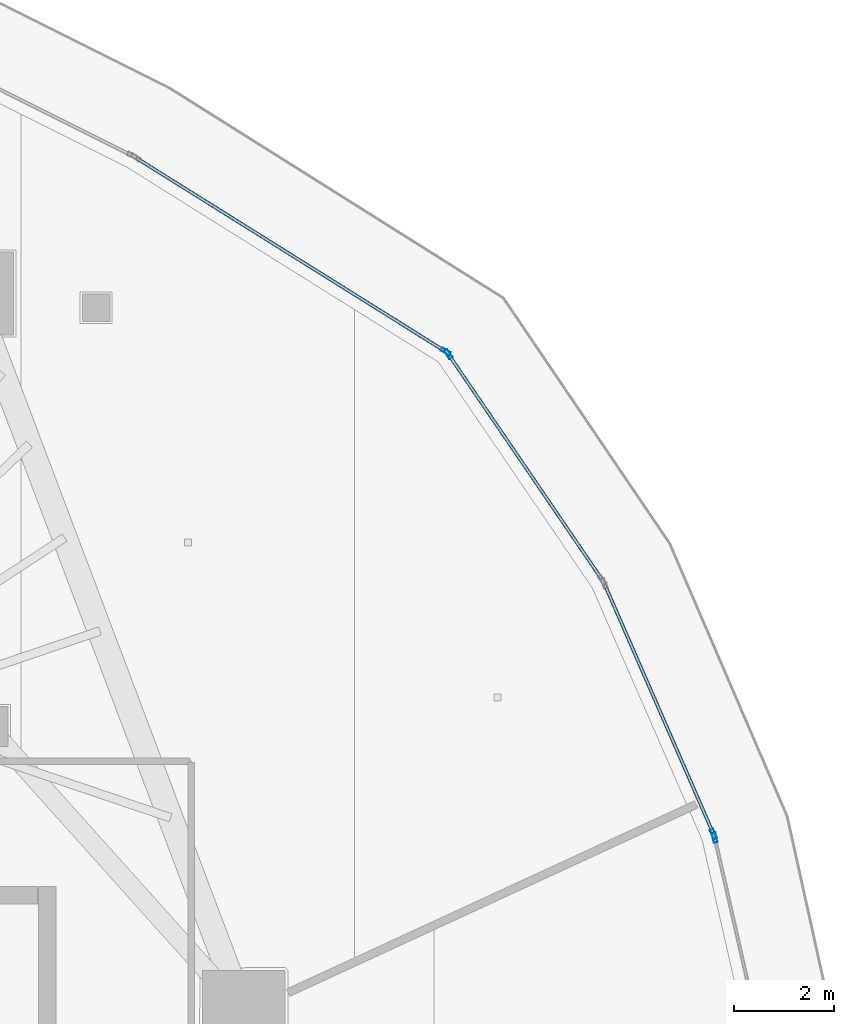
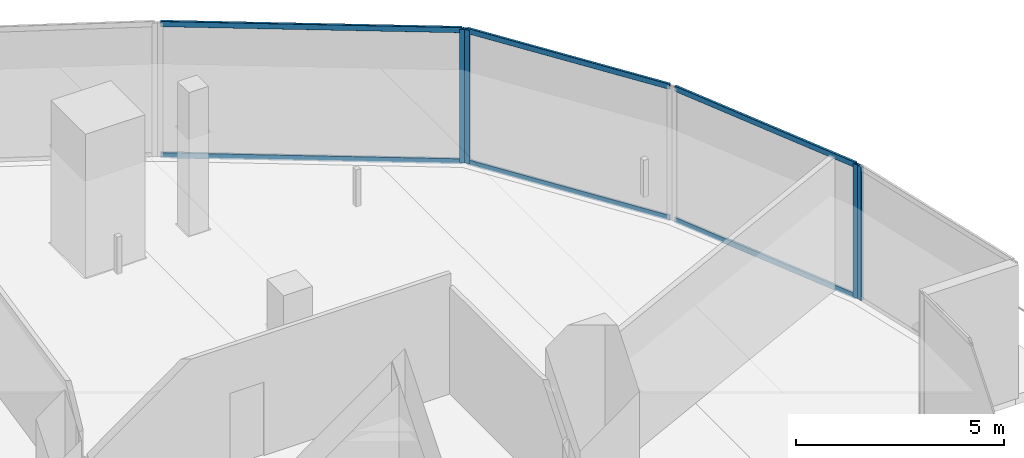
# One storey, part 18 of 31: 10 members, 4 elements without a shape of their own.
"""IFC4 building model written with IfcOpenShell, lengths in metres."""

from ifc_helpers import new_model, si_unit, direction, frame, origin, origin_2d, place, context, subcontext, project, spatial, hollow_rectangle, extrude, material, layer, layer_set, material_profile, profile_set, type_object, element, aggregate, save


model = new_model("IFC4")

# Units and contexts
model_context = context("Model", 3, precision=1e-05, world=origin(), true_north=direction((0.0, 1.0)))
body_context = subcontext(model_context, "Body", "Model", "MODEL_VIEW")
ifc_project = project(units=[si_unit("LENGTHUNIT", "METRE"), si_unit("AREAUNIT", "SQUARE_METRE"), si_unit("VOLUMEUNIT", "CUBIC_METRE"), si_unit("PLANEANGLEUNIT", "RADIAN"), si_unit("MASSUNIT", "GRAM", prefix="KILO")], contexts=[model_context])

# Site, building, storey
site_placement = place(None, origin())
site = spatial("IfcSite", under=ifc_project, at=site_placement, CompositionType="ELEMENT")
building_placement = place(site_placement, origin())
building = spatial("IfcBuilding", under=site, at=building_placement, Name="Qorvath Tower", CompositionType="ELEMENT")
storey_placement = place(building_placement, frame((0.0, 0.0, 259.800048828125)))
storey = spatial("IfcBuildingStorey", under=building, at=storey_placement, Name="L60", CompositionType="ELEMENT", Elevation=259.800048828125)

# Curtain wall, member
ifc_material_1 = material(Name="Anodised aluminium and triple low-E glass", Category="aluminium")
ifc_layer = layer(ifc_material_1, 0.179931640625)
ifc_layer_set = layer_set([ifc_layer], Name="CW-SYS-4")
curtain_wall_type = type_object("IfcCurtainWallType", Name="CW-SYS-4", PredefinedType="NOTDEFINED", material=ifc_layer_set)
curtain_wall_1_placement = place(storey_placement, origin())
curtain_wall_1 = element("IfcCurtainWall", 1, at=curtain_wall_1_placement, inside=storey, type_object=curtain_wall_type, Name="Curtain Wall CW-4 CW-T-L60-11.1", PredefinedType="NOTDEFINED")
ifc_material_2 = material(Name="Anodised aluminium 6063-T6", Category="aluminium")
ifc_material_profile_1 = material_profile(ifc_material_2, hollow_rectangle(XDim=0.074951171875, YDim=0.199951171875, WallThickness=0.00390625, InnerFilletRadius=0.00390625, OuterFilletRadius=0.008056640625, at=origin_2d()), Name="CWM 200x75")
ifc_profile_set_1 = profile_set([ifc_material_profile_1], Name="Anodised aluminium 6063-T6")
member_type_1 = type_object("IfcMemberType", Name="CWM-200", PredefinedType="MULLION", material=ifc_profile_set_1)
member_1_placement = place(storey_placement, frame((-2.690185546875, 9.233154296875, 0.0), z_axis=(0.0, 0.0, 1.0), x_axis=(-0.97494194825, -0.22245942898, 0.0)))
member_1 = element("IfcMember", 2, at=member_1_placement, type_object=member_type_1, Name="CW-4 mullion 2", PredefinedType="MULLION", context=body_context, shape_type="SweptSolid", body=[
    extrude(hollow_rectangle(XDim=0.074951171875, YDim=0.199951171875, WallThickness=0.00390625, InnerFilletRadius=0.00390625, OuterFilletRadius=0.008056640625, at=origin_2d()), origin(), (0.0, 0.0, 1.0), 3.909912109375),
])
aggregate(curtain_wall_1, [member_1])

curtain_wall_2_placement = place(storey_placement, origin())
curtain_wall_2 = element("IfcCurtainWall", 3, at=curtain_wall_2_placement, inside=storey, type_object=curtain_wall_type, Name="Curtain Wall CW-4 CW-T-L60-12.1", PredefinedType="NOTDEFINED")
member_2_placement = place(storey_placement, frame((-2.71337890625, 9.30419921875, 0.0), z_axis=(0.0, 0.0, 1.0), x_axis=(-0.916612312055, -0.399777274729, 0.0)))
member_2 = element("IfcMember", 4, at=member_2_placement, type_object=member_type_1, Name="CW-4 mullion 1", PredefinedType="MULLION", context=body_context, shape_type="SweptSolid", body=[
    extrude(hollow_rectangle(XDim=0.074951171875, YDim=0.199951171875, WallThickness=0.00390625, InnerFilletRadius=0.00390625, OuterFilletRadius=0.008056640625, at=origin_2d()), origin(), (0.0, 0.0, 1.0), 3.909912109375),
])

curtain_wall_3_placement = place(storey_placement, origin())
curtain_wall_3 = element("IfcCurtainWall", 5, at=curtain_wall_3_placement, inside=storey, type_object=curtain_wall_type, Name="Curtain Wall CW-4 CW-T-L60-13.1", PredefinedType="NOTDEFINED")
member_3_placement = place(storey_placement, frame((-8.0087890625, 18.888916015625, 0.0), z_axis=(0.0, 0.0, 1.0), x_axis=(-0.826358006639, -0.563145136589, 0.0)))
member_3 = element("IfcMember", 6, at=member_3_placement, type_object=member_type_1, Name="CW-4 mullion 2", PredefinedType="MULLION", context=body_context, shape_type="SweptSolid", body=[
    extrude(hollow_rectangle(XDim=0.074951171875, YDim=0.199951171875, WallThickness=0.00390625, InnerFilletRadius=0.00390625, OuterFilletRadius=0.008056640625, at=origin_2d()), origin(), (0.0, 0.0, 1.0), 3.909912109375),
])

curtain_wall_4_placement = place(storey_placement, origin())
curtain_wall_4 = element("IfcCurtainWall", 7, at=curtain_wall_4_placement, inside=storey, type_object=curtain_wall_type, Name="Curtain Wall CW-4 CW-T-L60-14.1", PredefinedType="NOTDEFINED")
member_4_placement = place(storey_placement, frame((-8.0615234375, 18.939697265625, 0.0), z_axis=(0.0, 0.0, 1.0), x_axis=(-0.530411579376, -0.847740264741, 0.0)))
member_4 = element("IfcMember", 8, at=member_4_placement, type_object=member_type_1, Name="CW-4 mullion 1", PredefinedType="MULLION", context=body_context, shape_type="SweptSolid", body=[
    extrude(hollow_rectangle(XDim=0.074951171875, YDim=0.199951171875, WallThickness=0.00390625, InnerFilletRadius=0.00390625, OuterFilletRadius=0.008056640625, at=origin_2d()), origin(), (0.0, 0.0, 1.0), 3.909912109375),
])

# Member
ifc_material_3 = material(Name="Anodised aluminium 6063-T6", Category="aluminium")
ifc_material_profile_2 = material_profile(ifc_material_3, hollow_rectangle(XDim=0.06494140625, YDim=0.159912109375, WallThickness=0.00341796875, InnerFilletRadius=0.00341796875, OuterFilletRadius=0.007080078125, at=origin_2d()), Name="CWT 160x65")
ifc_profile_set_2 = profile_set([ifc_material_profile_2], Name="Anodised aluminium 6063-T6")
member_type_2 = type_object("IfcMemberType", Name="CWT-160", PredefinedType="USERDEFINED", material=ifc_profile_set_2)
member_5_placement = place(storey_placement, frame((-2.728515625, 9.338623046875, 0.032470703125), z_axis=(-0.399769994455, 0.916615487286, 0.0), x_axis=(-0.916615487286, -0.399769994455, 0.0)))
member_5 = element("IfcMember", 9, at=member_5_placement, type_object=member_type_2, Name="CW-4 transom 1.1", ObjectType="TRANSOM", PredefinedType="USERDEFINED", context=body_context, shape_type="SweptSolid", body=[
    extrude(hollow_rectangle(XDim=0.06494140625, YDim=0.159912109375, WallThickness=0.00341796875, InnerFilletRadius=0.00341796875, OuterFilletRadius=0.007080078125, at=origin_2d()), origin(), (0.0, 0.0, 1.0), 5.386474609375),
])

member_6_placement = place(storey_placement, frame((-2.728515625, 9.338623046875, 3.87744140625), z_axis=(-0.399769994455, 0.916615487286, 0.0), x_axis=(-0.916615487286, -0.399769994455, 0.0)))
member_6 = element("IfcMember", 10, at=member_6_placement, type_object=member_type_2, Name="CW-4 transom 1.2", ObjectType="TRANSOM", PredefinedType="USERDEFINED", context=body_context, shape_type="SweptSolid", body=[
    extrude(hollow_rectangle(XDim=0.06494140625, YDim=0.159912109375, WallThickness=0.00341796875, InnerFilletRadius=0.00341796875, OuterFilletRadius=0.007080078125, at=origin_2d()), origin(), (0.0, 0.0, 1.0), 5.386474609375),
])

aggregate(curtain_wall_2, [member_2, member_5, member_6])

member_7_placement = place(storey_placement, frame((-4.9541015625, 14.40673828125, 0.032470703125), z_axis=(-0.563153979545, 0.826351980286, 0.0), x_axis=(-0.826351980286, -0.563153979545, 0.0)))
member_7 = element("IfcMember", 11, at=member_7_placement, type_object=member_type_2, Name="CW-4 transom 1.1", ObjectType="TRANSOM", PredefinedType="USERDEFINED", context=body_context, shape_type="SweptSolid", body=[
    extrude(hollow_rectangle(XDim=0.06494140625, YDim=0.159912109375, WallThickness=0.00341796875, InnerFilletRadius=0.00341796875, OuterFilletRadius=0.007080078125, at=origin_2d()), origin(), (0.0, 0.0, 1.0), 5.386474609375),
])

member_8_placement = place(storey_placement, frame((-4.9541015625, 14.40673828125, 3.87744140625), z_axis=(-0.563153979545, 0.826351980286, 0.0), x_axis=(-0.826351980286, -0.563153979545, 0.0)))
member_8 = element("IfcMember", 12, at=member_8_placement, type_object=member_type_2, Name="CW-4 transom 1.2", ObjectType="TRANSOM", PredefinedType="USERDEFINED", context=body_context, shape_type="SweptSolid", body=[
    extrude(hollow_rectangle(XDim=0.06494140625, YDim=0.159912109375, WallThickness=0.00341796875, InnerFilletRadius=0.00341796875, OuterFilletRadius=0.007080078125, at=origin_2d()), origin(), (0.0, 0.0, 1.0), 5.386474609375),
])

aggregate(curtain_wall_3, [member_3, member_7, member_8])

member_9_placement = place(storey_placement, frame((-8.09326171875, 18.959716796875, 0.032470703125), z_axis=(-0.847751717941, 0.530393273646, 0.0), x_axis=(-0.530393273646, -0.847751717941, 0.0)))
member_9 = element("IfcMember", 13, at=member_9_placement, type_object=member_type_2, Name="CW-4 transom 1.1", ObjectType="TRANSOM", PredefinedType="USERDEFINED", context=body_context, shape_type="SweptSolid", body=[
    extrude(hollow_rectangle(XDim=0.06494140625, YDim=0.159912109375, WallThickness=0.00341796875, InnerFilletRadius=0.00341796875, OuterFilletRadius=0.007080078125, at=origin_2d()), origin(), (0.0, 0.0, 1.0), 7.233642578125),
])

member_10_placement = place(storey_placement, frame((-8.09326171875, 18.959716796875, 3.87744140625), z_axis=(-0.847751717941, 0.530393273646, 0.0), x_axis=(-0.530393273646, -0.847751717941, 0.0)))
member_10 = element("IfcMember", 14, at=member_10_placement, type_object=member_type_2, Name="CW-4 transom 1.2", ObjectType="TRANSOM", PredefinedType="USERDEFINED", context=body_context, shape_type="SweptSolid", body=[
    extrude(hollow_rectangle(XDim=0.06494140625, YDim=0.159912109375, WallThickness=0.00341796875, InnerFilletRadius=0.00341796875, OuterFilletRadius=0.007080078125, at=origin_2d()), origin(), (0.0, 0.0, 1.0), 7.233642578125),
])

aggregate(curtain_wall_4, [member_4, member_9, member_10])

save(model, "model.ifc")
